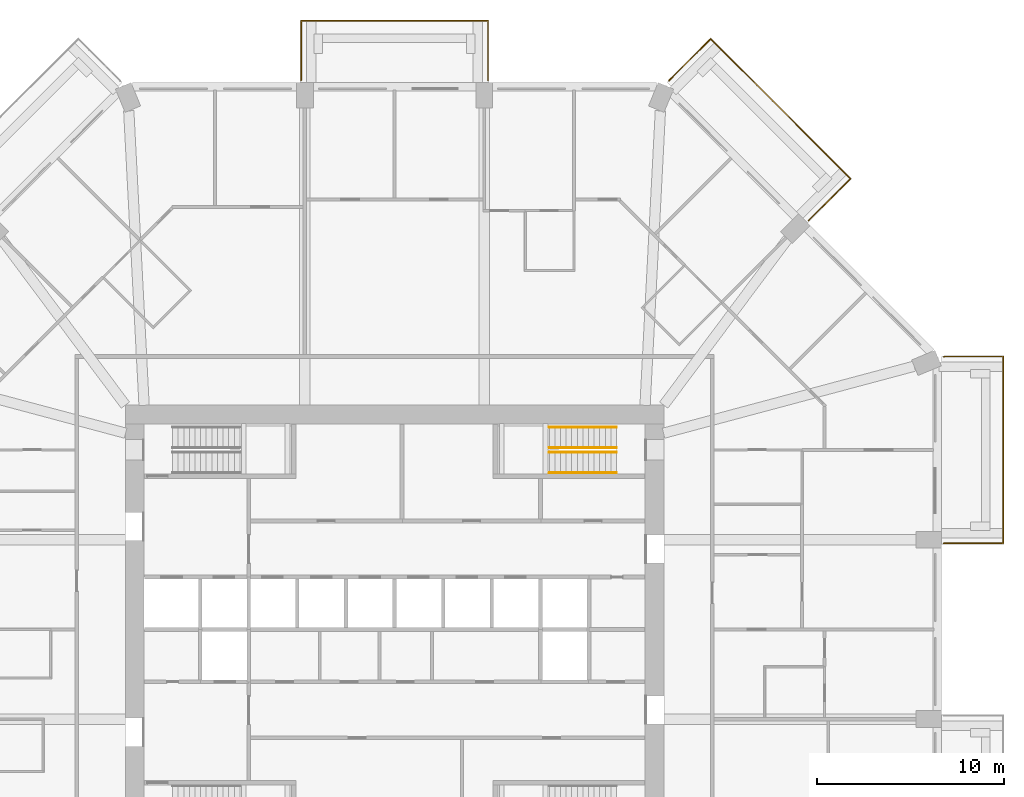
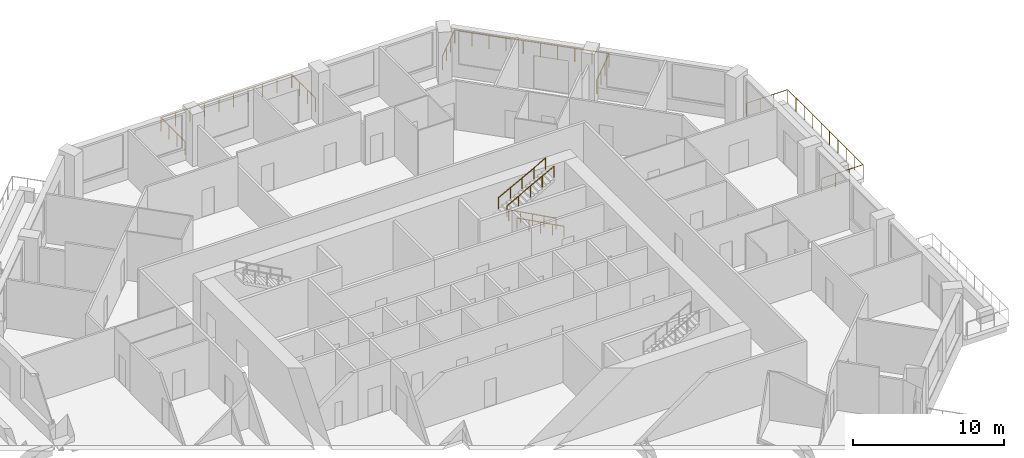
# One storey, part 13 of 13: 7 railings.
"""IFC4 building model written with IfcOpenShell, lengths in metres."""

from ifc_helpers import new_model, si_unit, direction, frame, origin, origin_2d, place, context, subcontext, project, spatial, circle, extrude, material, constituent, constituent_set, type_object, element, save


model = new_model("IFC4")

# Units and contexts
model_context = context("Model", 3, precision=1e-05, world=origin(), true_north=direction((0.0, 1.0)))
body_context = subcontext(model_context, "Body", "Model", "MODEL_VIEW")
ifc_project = project(units=[si_unit("LENGTHUNIT", "METRE"), si_unit("AREAUNIT", "SQUARE_METRE"), si_unit("VOLUMEUNIT", "CUBIC_METRE"), si_unit("PLANEANGLEUNIT", "RADIAN"), si_unit("MASSUNIT", "GRAM", prefix="KILO")], contexts=[model_context])

# Site, building, storey
site_placement = place(None, origin())
site = spatial("IfcSite", under=ifc_project, at=site_placement, CompositionType="ELEMENT")
building_placement = place(site_placement, origin())
building = spatial("IfcBuilding", under=site, at=building_placement, Name="Msitu Wima Residences", CompositionType="ELEMENT")
storey_placement = place(building_placement, frame((0.0, 0.0, 67.5)))
storey = spatial("IfcBuildingStorey", under=building, at=storey_placement, Name="L15", CompositionType="ELEMENT", Elevation=67.5)

# Railings
ifc_material_1 = material(Name="Steel S355", Category="steel")
ifc_constituent_1 = constituent(ifc_material_1, Name="Steel S355")
ifc_material_2 = material(Name="Weathering patina")
ifc_constituent_2 = constituent(ifc_material_2, Name="Weathering patina")
ifc_constituent_set_1 = constituent_set(constituents=[ifc_constituent_1, ifc_constituent_2], Name="Steel S355")
railing_type_1 = type_object("IfcRailingType", Name="Balcony guard GR1100", PredefinedType="GUARDRAIL", material=ifc_constituent_set_1)
railing_1_placement = place(storey_placement, frame((29.3798828125, 14.586181640625, 0.0)))
element("IfcRailing", 1, at=railing_1_placement, inside=storey, type_object=railing_type_1, Name="Balcony guard E2 L15", PredefinedType="GUARDRAIL", context=body_context, shape_type="SweptSolid", body=[
    extrude(circle(Radius=0.02392578125, at=origin_2d()), frame((0.0, 0.0, 1.076171875), z_axis=(0.92426142649, 0.38176015442, 0.0), x_axis=(-0.38176015442, 0.92426142649, 0.0)), (0.0, 0.0, 1.0), 0.036376953125),
    extrude(circle(Radius=0.02392578125, at=origin_2d()), frame((0.03369140625, 0.013916015625, 1.076171875), z_axis=(1.0, 0.0, 0.0), x_axis=(0.0, 1.0, 0.0)), (0.0, 0.0, 1.0), 3.136474609375),
    extrude(circle(Radius=0.02392578125, at=origin_2d()), frame((3.170166015625, 0.013916015625, 1.076171875), z_axis=(0.0, -1.0, 0.0), x_axis=(1.0, 0.0, 0.0)), (0.0, 0.0, 1.0), 10.0),
    extrude(circle(Radius=0.02392578125, at=origin_2d()), frame((3.170166015625, -9.986083984375, 1.076171875), z_axis=(-1.0, 0.0, 0.0), x_axis=(0.0, -1.0, 0.0)), (0.0, 0.0, 1.0), 3.170166015625),
    extrude(circle(Radius=0.02099609375, at=origin_2d()), origin(), (0.0, 0.0, 1.0), 1.052001953125),
    extrude(circle(Radius=0.02099609375, at=origin_2d()), frame((0.03369140625, 0.013916015625, 0.0)), (0.0, 0.0, 1.0), 1.052001953125),
    extrude(circle(Radius=0.02099609375, at=origin_2d()), frame((1.0791015625, 0.013916015625, 0.0)), (0.0, 0.0, 1.0), 1.052001953125),
    extrude(circle(Radius=0.02099609375, at=origin_2d()), frame((2.124755859375, 0.013916015625, 0.0)), (0.0, 0.0, 1.0), 1.052001953125),
    extrude(circle(Radius=0.02099609375, at=origin_2d()), frame((3.170166015625, 0.013916015625, 0.0)), (0.0, 0.0, 1.0), 1.052001953125),
    extrude(circle(Radius=0.02099609375, at=origin_2d()), frame((3.170166015625, -1.09716796875, 0.0)), (0.0, 0.0, 1.0), 1.052001953125),
    extrude(circle(Radius=0.02099609375, at=origin_2d()), frame((3.170166015625, -2.208251953125, 0.0)), (0.0, 0.0, 1.0), 1.052001953125),
    extrude(circle(Radius=0.02099609375, at=origin_2d()), frame((3.170166015625, -3.3193359375, 0.0)), (0.0, 0.0, 1.0), 1.052001953125),
    extrude(circle(Radius=0.02099609375, at=origin_2d()), frame((3.170166015625, -4.430419921875, 0.0)), (0.0, 0.0, 1.0), 1.052001953125),
    extrude(circle(Radius=0.02099609375, at=origin_2d()), frame((3.170166015625, -5.541748046875, 0.0)), (0.0, 0.0, 1.0), 1.052001953125),
    extrude(circle(Radius=0.02099609375, at=origin_2d()), frame((3.170166015625, -6.65283203125, 0.0)), (0.0, 0.0, 1.0), 1.052001953125),
    extrude(circle(Radius=0.02099609375, at=origin_2d()), frame((3.170166015625, -7.763916015625, 0.0)), (0.0, 0.0, 1.0), 1.052001953125),
    extrude(circle(Radius=0.02099609375, at=origin_2d()), frame((3.170166015625, -8.875, 0.0)), (0.0, 0.0, 1.0), 1.052001953125),
    extrude(circle(Radius=0.02099609375, at=origin_2d()), frame((3.170166015625, -9.986083984375, 0.0)), (0.0, 0.0, 1.0), 1.052001953125),
    extrude(circle(Radius=0.02099609375, at=origin_2d()), frame((2.113525390625, -9.986083984375, 0.0)), (0.0, 0.0, 1.0), 1.052001953125),
    extrude(circle(Radius=0.02099609375, at=origin_2d()), frame((1.056640625, -9.986083984375, 0.0)), (0.0, 0.0, 1.0), 1.052001953125),
    extrude(circle(Radius=0.02099609375, at=origin_2d()), frame((0.0, -9.986083984375, 0.0)), (0.0, 0.0, 1.0), 1.052001953125),
])
railing_2_placement = place(storey_placement, frame((14.678466796875, 29.341796875, 0.0)))
element("IfcRailing", 2, at=railing_2_placement, inside=storey, type_object=railing_type_1, Name="Balcony guard NE1 L15", PredefinedType="GUARDRAIL", context=body_context, shape_type="SweptSolid", body=[
    extrude(circle(Radius=0.02392578125, at=origin_2d()), frame((0.0, 0.0, 1.076171875), z_axis=(0.384136806859, 0.923276184907, 0.0), x_axis=(-0.923276184907, 0.384136806859, 0.0)), (0.0, 0.0, 1.0), 0.0361328125),
    extrude(circle(Radius=0.02392578125, at=origin_2d()), frame((0.013916015625, 0.033447265625, 1.076171875), z_axis=(0.707106781187, 0.707106781187, 0.0), x_axis=(-0.707106781187, 0.707106781187, 0.0)), (0.0, 0.0, 1.0), 3.136474609375),
    extrude(circle(Radius=0.02392578125, at=origin_2d()), frame((2.231689453125, 2.251220703125, 1.076171875), z_axis=(0.707118316465, -0.70709524572, 0.0), x_axis=(0.70709524572, 0.707118316465, 0.0)), (0.0, 0.0, 1.0), 10.582275390625),
    extrude(circle(Radius=0.02392578125, at=origin_2d()), frame((9.714599609375, -5.2314453125, 1.076171875), z_axis=(-0.707068272989, -0.707145287287, 0.0), x_axis=(0.707145287287, -0.707068272989, 0.0)), (0.0, 0.0, 1.0), 3.170166015625),
    extrude(circle(Radius=0.02099609375, at=origin_2d()), origin(), (0.0, 0.0, 1.0), 1.052001953125),
    extrude(circle(Radius=0.02099609375, at=origin_2d()), frame((0.013916015625, 0.033447265625, 0.0)), (0.0, 0.0, 1.0), 1.052001953125),
    extrude(circle(Radius=0.02099609375, at=origin_2d()), frame((0.753173828125, 0.772705078125, 0.0)), (0.0, 0.0, 1.0), 1.052001953125),
    extrude(circle(Radius=0.02099609375, at=origin_2d()), frame((1.492431640625, 1.511962890625, 0.0)), (0.0, 0.0, 1.0), 1.052001953125),
    extrude(circle(Radius=0.02099609375, at=origin_2d()), frame((2.231689453125, 2.251220703125, 0.0)), (0.0, 0.0, 1.0), 1.052001953125),
    extrude(circle(Radius=0.02099609375, at=origin_2d()), frame((3.063232421875, 1.419921875, 0.0)), (0.0, 0.0, 1.0), 1.052001953125),
    extrude(circle(Radius=0.02099609375, at=origin_2d()), frame((3.89453125, 0.58837890625, 0.0)), (0.0, 0.0, 1.0), 1.052001953125),
    extrude(circle(Radius=0.02099609375, at=origin_2d()), frame((4.72607421875, -0.242919921875, 0.0)), (0.0, 0.0, 1.0), 1.052001953125),
    extrude(circle(Radius=0.02099609375, at=origin_2d()), frame((5.557373046875, -1.074462890625, 0.0)), (0.0, 0.0, 1.0), 1.052001953125),
    extrude(circle(Radius=0.02099609375, at=origin_2d()), frame((6.388916015625, -1.90576171875, 0.0)), (0.0, 0.0, 1.0), 1.052001953125),
    extrude(circle(Radius=0.02099609375, at=origin_2d()), frame((7.22021484375, -2.7373046875, 0.0)), (0.0, 0.0, 1.0), 1.052001953125),
    extrude(circle(Radius=0.02099609375, at=origin_2d()), frame((8.0517578125, -3.568603515625, 0.0)), (0.0, 0.0, 1.0), 1.052001953125),
    extrude(circle(Radius=0.02099609375, at=origin_2d()), frame((8.883056640625, -4.400146484375, 0.0)), (0.0, 0.0, 1.0), 1.052001953125),
    extrude(circle(Radius=0.02099609375, at=origin_2d()), frame((9.714599609375, -5.2314453125, 0.0)), (0.0, 0.0, 1.0), 1.052001953125),
    extrude(circle(Radius=0.02099609375, at=origin_2d()), frame((8.967529296875, -5.978759765625, 0.0)), (0.0, 0.0, 1.0), 1.052001953125),
    extrude(circle(Radius=0.02099609375, at=origin_2d()), frame((8.22021484375, -6.725830078125, 0.0)), (0.0, 0.0, 1.0), 1.052001953125),
    extrude(circle(Radius=0.02099609375, at=origin_2d()), frame((7.47314453125, -7.47314453125, 0.0)), (0.0, 0.0, 1.0), 1.052001953125),
])
railing_3_placement = place(storey_placement, frame((-5.0, 29.3798828125, 0.0)))
element("IfcRailing", 3, at=railing_3_placement, inside=storey, type_object=railing_type_1, Name="Balcony guard N1 L15", PredefinedType="GUARDRAIL", context=body_context, shape_type="SweptSolid", body=[
    extrude(circle(Radius=0.02392578125, at=origin_2d()), frame((0.0, 0.0, 1.076171875), z_axis=(0.0, 1.0, 0.0), x_axis=(-1.0, 0.0, 0.0)), (0.0, 0.0, 1.0), 3.170166015625),
    extrude(circle(Radius=0.02392578125, at=origin_2d()), frame((0.0, 3.170166015625, 1.076171875), z_axis=(1.0, 0.0, 0.0), x_axis=(0.0, 1.0, 0.0)), (0.0, 0.0, 1.0), 10.0),
    extrude(circle(Radius=0.02392578125, at=origin_2d()), frame((10.0, 3.170166015625, 1.076171875), z_axis=(0.0, -1.0, 0.0), x_axis=(1.0, 0.0, 0.0)), (0.0, 0.0, 1.0), 3.170166015625),
    extrude(circle(Radius=0.02099609375, at=origin_2d()), origin(), (0.0, 0.0, 1.0), 1.052001953125),
    extrude(circle(Radius=0.02099609375, at=origin_2d()), frame((0.0, 1.056640625, 0.0)), (0.0, 0.0, 1.0), 1.052001953125),
    extrude(circle(Radius=0.02099609375, at=origin_2d()), frame((0.0, 2.113525390625, 0.0)), (0.0, 0.0, 1.0), 1.052001953125),
    extrude(circle(Radius=0.02099609375, at=origin_2d()), frame((0.0, 3.170166015625, 0.0)), (0.0, 0.0, 1.0), 1.052001953125),
    extrude(circle(Radius=0.02099609375, at=origin_2d()), frame((1.111083984375, 3.170166015625, 0.0)), (0.0, 0.0, 1.0), 1.052001953125),
    extrude(circle(Radius=0.02099609375, at=origin_2d()), frame((2.22216796875, 3.170166015625, 0.0)), (0.0, 0.0, 1.0), 1.052001953125),
    extrude(circle(Radius=0.02099609375, at=origin_2d()), frame((3.333251953125, 3.170166015625, 0.0)), (0.0, 0.0, 1.0), 1.052001953125),
    extrude(circle(Radius=0.02099609375, at=origin_2d()), frame((4.4443359375, 3.170166015625, 0.0)), (0.0, 0.0, 1.0), 1.052001953125),
    extrude(circle(Radius=0.02099609375, at=origin_2d()), frame((5.5556640625, 3.170166015625, 0.0)), (0.0, 0.0, 1.0), 1.052001953125),
    extrude(circle(Radius=0.02099609375, at=origin_2d()), frame((6.666748046875, 3.170166015625, 0.0)), (0.0, 0.0, 1.0), 1.052001953125),
    extrude(circle(Radius=0.02099609375, at=origin_2d()), frame((7.77783203125, 3.170166015625, 0.0)), (0.0, 0.0, 1.0), 1.052001953125),
    extrude(circle(Radius=0.02099609375, at=origin_2d()), frame((8.888916015625, 3.170166015625, 0.0)), (0.0, 0.0, 1.0), 1.052001953125),
    extrude(circle(Radius=0.02099609375, at=origin_2d()), frame((10.0, 3.170166015625, 0.0)), (0.0, 0.0, 1.0), 1.052001953125),
    extrude(circle(Radius=0.02099609375, at=origin_2d()), frame((10.0, 2.113525390625, 0.0)), (0.0, 0.0, 1.0), 1.052001953125),
    extrude(circle(Radius=0.02099609375, at=origin_2d()), frame((10.0, 1.056640625, 0.0)), (0.0, 0.0, 1.0), 1.052001953125),
    extrude(circle(Radius=0.02099609375, at=origin_2d()), frame((10.0, 0.0, 0.0)), (0.0, 0.0, 1.0), 1.052001953125),
])
ifc_constituent_3 = constituent(ifc_material_1, Name="Steel S355")
ifc_material_3 = material(Name="Black powder coating")
ifc_constituent_4 = constituent(ifc_material_3, Name="Black powder coating")
ifc_constituent_set_2 = constituent_set(constituents=[ifc_constituent_3, ifc_constituent_4], Name="Steel S355")
railing_type_2 = type_object("IfcRailingType", Name="Stair handrail HR1", PredefinedType="HANDRAIL", material=ifc_constituent_set_2)
for number, where, name in (
    (4, (11.875, 8.375, 0.16162109375), "Stair 3 handrail"),
    (5, (11.875, 9.47509765625, 0.16162109375), "Stair 3 handrail"),
):
    element("IfcRailing", number, at=place(storey_placement, frame(where)), inside=storey, type_object=railing_type_2, Name=name, PredefinedType="HANDRAIL", context=body_context, shape_type="SweptSolid", body=[
        extrude(circle(Radius=0.02392578125, at=origin_2d()), frame((0.0, 0.0, 0.8759765625), z_axis=(-0.880474934443, 0.0, 0.474092701714), x_axis=(0.0, -1.0, 0.0)), (0.0, 0.0, 1.0), 4.0888671875),
        extrude(circle(Radius=0.02099609375, at=origin_2d()), origin(), (0.0, 0.0, 1.0), 0.851806640625),
        extrude(circle(Radius=0.02099609375, at=origin_2d()), frame((-0.89990234375, 0.0, 0.484619140625)), (0.0, 0.0, 1.0), 0.851806640625),
        extrude(circle(Radius=0.02099609375, at=origin_2d()), frame((-1.800048828125, 0.0, 0.96923828125)), (0.0, 0.0, 1.0), 0.851806640625),
        extrude(circle(Radius=0.02099609375, at=origin_2d()), frame((-2.7001953125, 0.0, 1.453857421875)), (0.0, 0.0, 1.0), 0.851806640625),
        extrude(circle(Radius=0.02099609375, at=origin_2d()), frame((-3.60009765625, 0.0, 1.9384765625)), (0.0, 0.0, 1.0), 0.851806640625),
    ])
for number, where, name in (
    (6, (8.27490234375, 9.72509765625, 2.261474609375), "Stair 3 handrail"),
    (7, (8.27490234375, 10.824951171875, 2.261474609375), "Stair 3 handrail"),
):
    element("IfcRailing", number, at=place(storey_placement, frame(where)), inside=storey, type_object=railing_type_2, Name=name, PredefinedType="HANDRAIL", context=body_context, shape_type="SweptSolid", body=[
        extrude(circle(Radius=0.02392578125, at=origin_2d()), frame((0.0, 0.0, 0.8759765625), z_axis=(0.880474934443, 0.0, 0.474092701714), x_axis=(0.0, 1.0, 0.0)), (0.0, 0.0, 1.0), 4.0888671875),
        extrude(circle(Radius=0.02099609375, at=origin_2d()), origin(), (0.0, 0.0, 1.0), 0.851806640625),
        extrude(circle(Radius=0.02099609375, at=origin_2d()), frame((0.89990234375, 0.0, 0.484619140625)), (0.0, 0.0, 1.0), 0.851806640625),
        extrude(circle(Radius=0.02099609375, at=origin_2d()), frame((1.800048828125, 0.0, 0.96923828125)), (0.0, 0.0, 1.0), 0.851806640625),
        extrude(circle(Radius=0.02099609375, at=origin_2d()), frame((2.7001953125, 0.0, 1.453857421875)), (0.0, 0.0, 1.0), 0.851806640625),
        extrude(circle(Radius=0.02099609375, at=origin_2d()), frame((3.60009765625, 0.0, 1.9384765625)), (0.0, 0.0, 1.0), 0.851806640625),
    ])

save(model, "model.ifc")
